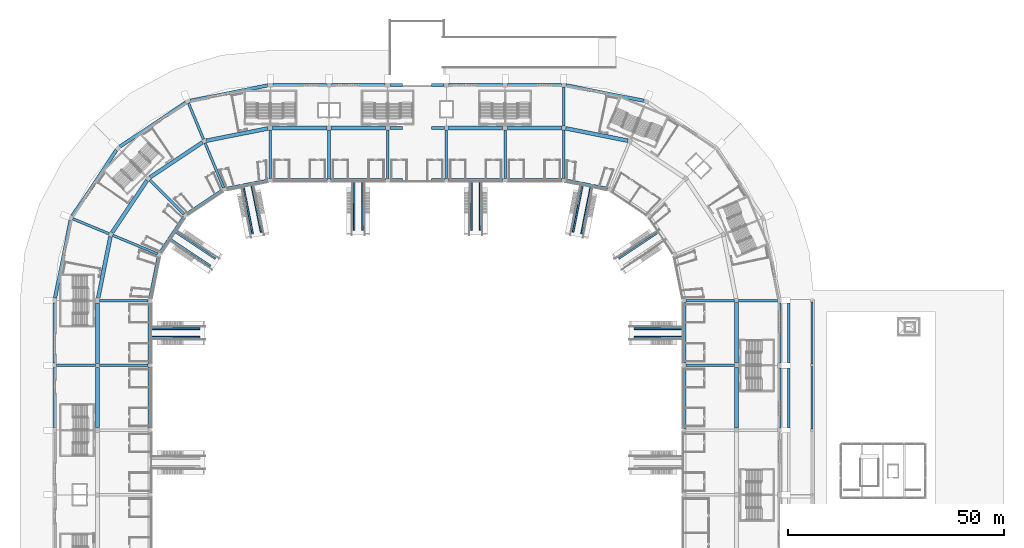
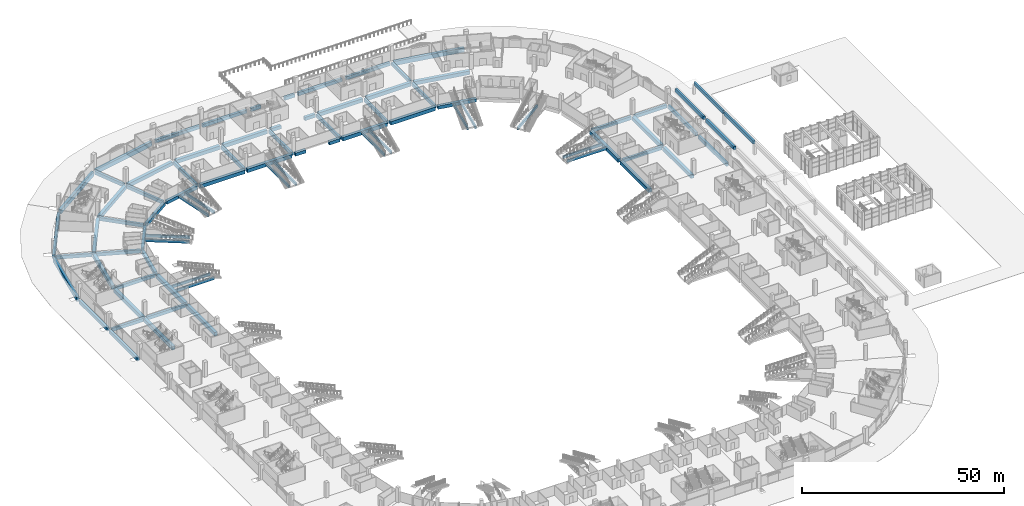
# One storey, part 13 of 175: 82 beams.
"""IFC4 building model written with IfcOpenShell, lengths in metres."""

from ifc_helpers import new_model, si_unit, direction, frame, origin, origin_2d, place, context, subcontext, project, spatial, rectangle, extrude, material, material_profile, profile_set, type_object, element, save


model = new_model("IFC4")

# Units and contexts
model_context = context("Model", 3, precision=1e-05, world=origin(), true_north=direction((0.0, 1.0)))
body_context = subcontext(model_context, "Body", "Model", "MODEL_VIEW")
ifc_project = project(units=[si_unit("LENGTHUNIT", "METRE"), si_unit("AREAUNIT", "SQUARE_METRE"), si_unit("VOLUMEUNIT", "CUBIC_METRE"), si_unit("PLANEANGLEUNIT", "RADIAN"), si_unit("MASSUNIT", "GRAM", prefix="KILO")], contexts=[model_context])

# Site, building, storey
site_placement = place(None, origin())
site = spatial("IfcSite", under=ifc_project, at=site_placement, CompositionType="ELEMENT")
building_placement = place(site_placement, origin())
building = spatial("IfcBuilding", under=site, at=building_placement, Name="Ogive Plaza Stadium", CompositionType="ELEMENT")
storey_placement = place(building_placement, origin())
storey = spatial("IfcBuildingStorey", under=building, at=storey_placement, Name="L00", CompositionType="ELEMENT", Elevation=0.0)

# Beams
ifc_material_1 = material(Name="Concrete C40/50", Category="concrete")
ifc_material_profile_1 = material_profile(ifc_material_1, rectangle(XDim=0.5, YDim=1.0, at=origin_2d()), Name="RC 500x1000")
ifc_profile_set_1 = profile_set([ifc_material_profile_1], Name="Concrete C40/50")
beam_type_1 = type_object("IfcBeamType", Name="Colonnade front beam RC 500x1000", PredefinedType="BEAM", material=ifc_profile_set_1)
for number, where, z_axis, x_axis, name in (
    (1, (91.5, 52.199951171875, 3.300048828125), (0.0, -1.0, 0.0), (1.0, 0.0, 0.0), "Colonnade front beam B01"),
    (2, (91.5, 37.199951171875, 3.300048828125), (0.0, -1.0, 0.0), (1.0, 0.0, 0.0), "Colonnade front beam B02"),
):
    element("IfcBeam", number, at=place(storey_placement, frame(where, z_axis=z_axis, x_axis=x_axis)), inside=storey, type_object=beam_type_1, Name=name, PredefinedType="BEAM", context=body_context, shape_type="SweptSolid", body=[
        extrude(rectangle(XDim=0.5, YDim=1.0, at=origin_2d()), origin(), (0.0, 0.0, 1.0), 14.39990234375),
    ])
ifc_material_2 = material(Name="Concrete C40/50", Category="concrete")
ifc_material_profile_2 = material_profile(ifc_material_2, rectangle(XDim=0.60009765625, YDim=1.0, at=origin_2d()), Name="RC 600x1000")
ifc_profile_set_2 = profile_set([ifc_material_profile_2], Name="Concrete C40/50")
beam_type_2 = type_object("IfcBeamType", Name="Colonnade rear beam RC 600x1000", PredefinedType="BEAM", material=ifc_profile_set_2)
for number, where, z_axis, x_axis, name in (
    (3, (86.10009765625, 52.0, 3.300048828125), (0.0, -1.0, 0.0), (1.0, 0.0, 0.0), "Colonnade rear beam B01"),
    (4, (86.10009765625, 36.89990234375, 3.300048828125), (0.0, -1.0, 0.0), (1.0, 0.0, 0.0), "Colonnade rear beam B02"),
):
    element("IfcBeam", number, at=place(storey_placement, frame(where, z_axis=z_axis, x_axis=x_axis)), inside=storey, type_object=beam_type_2, Name=name, PredefinedType="BEAM", context=body_context, shape_type="SweptSolid", body=[
        extrude(rectangle(XDim=0.60009765625, YDim=1.0, at=origin_2d()), origin(), (0.0, 0.0, 1.0), 13.89990234375),
    ])
ifc_material_3 = material(Name="Concrete C40/50", Category="concrete")
ifc_material_profile_3 = material_profile(ifc_material_3, rectangle(XDim=0.60009765625, YDim=1.0, at=origin_2d()), Name="RC 600x1000")
ifc_profile_set_3 = profile_set([ifc_material_profile_3], Name="Concrete C40/50")
beam_type_3 = type_object("IfcBeamType", Name="RC radial beam 600x1000", PredefinedType="BEAM", material=ifc_profile_set_3)
beam_1_placement = place(storey_placement, frame((62.300048828125, 52.5, -0.909912109375), z_axis=(1.0, 0.0, 0.0), x_axis=(0.0, 1.0, 0.0)))
element("IfcBeam", 5, at=beam_1_placement, inside=storey, type_object=beam_type_3, Name="Radial beam L00 R01 F3F4", PredefinedType="BEAM", context=body_context, shape_type="SweptSolid", body=[
    extrude(rectangle(XDim=0.60009765625, YDim=1.0, at=origin_2d()), origin(), (0.0, 0.0, 1.0), 11.25),
])
beam_2_placement = place(storey_placement, frame((74.449951171875, 52.5, -0.909912109375), z_axis=(1.0, 0.0, 0.0), x_axis=(0.0, 1.0, 0.0)))
element("IfcBeam", 6, at=beam_2_placement, inside=storey, type_object=beam_type_3, Name="Radial beam L00 R01 F4F5", PredefinedType="BEAM", context=body_context, shape_type="SweptSolid", body=[
    extrude(rectangle(XDim=0.60009765625, YDim=1.0, at=origin_2d()), origin(), (0.0, 0.0, 1.0), 9.10009765625),
])
for number, where, z_axis, x_axis, name in (
    (7, (62.300048828125, 37.5, -0.909912109375), (1.0, 0.0, 0.0), (0.0, 1.0, 0.0), "Radial beam L00 R02 F3F4"),
    (8, (-62.300048828125, 37.5, -0.909912109375), (-1.0, 0.0, 0.0), (0.0, -1.0, 0.0), "Radial beam L00 R27 F3F4"),
):
    element("IfcBeam", number, at=place(storey_placement, frame(where, z_axis=z_axis, x_axis=x_axis)), inside=storey, type_object=beam_type_3, Name=name, PredefinedType="BEAM", context=body_context, shape_type="SweptSolid", body=[
        extrude(rectangle(XDim=0.60009765625, YDim=1.0, at=origin_2d()), origin(), (0.0, 0.0, 1.0), 11.25),
    ])
beam_3_placement = place(storey_placement, frame((-74.449951171875, 37.5, -0.909912109375), z_axis=(-1.0, 0.0, 0.0), x_axis=(0.0, -1.0, 0.0)))
element("IfcBeam", 9, at=beam_3_placement, inside=storey, type_object=beam_type_3, Name="Radial beam L00 R27 F4F5", PredefinedType="BEAM", context=body_context, shape_type="SweptSolid", body=[
    extrude(rectangle(XDim=0.60009765625, YDim=1.0, at=origin_2d()), origin(), (0.0, 0.0, 1.0), 9.10009765625),
])
beam_4_placement = place(storey_placement, frame((-62.300048828125, 52.5, -0.909912109375), z_axis=(-1.0, 0.0, 0.0), x_axis=(0.0, -1.0, 0.0)))
element("IfcBeam", 10, at=beam_4_placement, inside=storey, type_object=beam_type_3, Name="Radial beam L00 R28 F3F4", PredefinedType="BEAM", context=body_context, shape_type="SweptSolid", body=[
    extrude(rectangle(XDim=0.60009765625, YDim=1.0, at=origin_2d()), origin(), (0.0, 0.0, 1.0), 11.25),
])
beam_5_placement = place(storey_placement, frame((-60.145751953125, 63.329833984375, -0.909912109375), z_axis=(-0.92388194159, 0.382677616283, 0.0), x_axis=(-0.382677616283, -0.92388194159, 0.0)))
element("IfcBeam", 11, at=beam_5_placement, inside=storey, type_object=beam_type_3, Name="Radial beam L00 R29 F3F4", PredefinedType="BEAM", context=body_context, shape_type="SweptSolid", body=[
    extrude(rectangle(XDim=0.60009765625, YDim=1.0, at=origin_2d()), origin(), (0.0, 0.0, 1.0), 11.250244140625),
])
beam_6_placement = place(storey_placement, frame((-71.370849609375, 67.9794921875, -0.909912109375), z_axis=(-0.923882116707, 0.382677193504, 0.0), x_axis=(-0.382677193504, -0.923882116707, 0.0)))
element("IfcBeam", 12, at=beam_6_placement, inside=storey, type_object=beam_type_3, Name="Radial beam L00 R29 F4F5", PredefinedType="BEAM", context=body_context, shape_type="SweptSolid", body=[
    extrude(rectangle(XDim=0.60009765625, YDim=1.0, at=origin_2d()), origin(), (0.0, 0.0, 1.0), 9.10009765625),
])
beam_7_placement = place(storey_placement, frame((-54.01123046875, 72.51123046875, -0.909912109375), z_axis=(-0.707106781187, 0.707106781187, 0.0), x_axis=(-0.707106781187, -0.707106781187, 0.0)))
element("IfcBeam", 13, at=beam_7_placement, inside=storey, type_object=beam_type_3, Name="Radial beam L00 R30 F3F4", PredefinedType="BEAM", context=body_context, shape_type="SweptSolid", body=[
    extrude(rectangle(XDim=0.60009765625, YDim=1.0, at=origin_2d()), origin(), (0.0, 0.0, 1.0), 11.249755859375),
])
beam_8_placement = place(storey_placement, frame((-44.829833984375, 78.645751953125, -0.909912109375), z_axis=(-0.382677616283, 0.92388194159, 0.0), x_axis=(-0.92388194159, -0.382677616283, 0.0)))
element("IfcBeam", 14, at=beam_8_placement, inside=storey, type_object=beam_type_3, Name="Radial beam L00 R31 F3F4", PredefinedType="BEAM", context=body_context, shape_type="SweptSolid", body=[
    extrude(rectangle(XDim=0.60009765625, YDim=1.0, at=origin_2d()), origin(), (0.0, 0.0, 1.0), 11.250244140625),
])
beam_9_placement = place(storey_placement, frame((-49.4794921875, 89.870849609375, -0.909912109375), z_axis=(-0.382677193504, 0.923882116707, 0.0), x_axis=(-0.923882116707, -0.382677193504, 0.0)))
element("IfcBeam", 15, at=beam_9_placement, inside=storey, type_object=beam_type_3, Name="Radial beam L00 R31 F4F5", PredefinedType="BEAM", context=body_context, shape_type="SweptSolid", body=[
    extrude(rectangle(XDim=0.60009765625, YDim=1.0, at=origin_2d()), origin(), (0.0, 0.0, 1.0), 9.10009765625),
])
for number, where, z_axis, x_axis, name in (
    (16, (-34.0, 80.800048828125, -0.909912109375), (0.0, 1.0, 0.0), (-1.0, 0.0, 0.0), "Radial beam L00 R32 F3F4"),
    (17, (-20.39990234375, 80.800048828125, -0.909912109375), (0.0, 1.0, 0.0), (-1.0, 0.0, 0.0), "Radial beam L00 R33 F3F4"),
    (18, (-6.800048828125, 80.800048828125, -0.909912109375), (0.0, 1.0, 0.0), (-1.0, 0.0, 0.0), "Radial beam L00 R34 F3F4"),
    (19, (6.800048828125, 80.800048828125, -0.909912109375), (0.0, 1.0, 0.0), (-1.0, 0.0, 0.0), "Radial beam L00 R35 F3F4"),
    (20, (20.39990234375, 80.800048828125, -0.909912109375), (0.0, 1.0, 0.0), (-1.0, 0.0, 0.0), "Radial beam L00 R36 F3F4"),
    (21, (34.0, 80.800048828125, -0.909912109375), (0.0, 1.0, 0.0), (-1.0, 0.0, 0.0), "Radial beam L00 R37 F3F4"),
):
    element("IfcBeam", number, at=place(storey_placement, frame(where, z_axis=z_axis, x_axis=x_axis)), inside=storey, type_object=beam_type_3, Name=name, PredefinedType="BEAM", context=body_context, shape_type="SweptSolid", body=[
        extrude(rectangle(XDim=0.60009765625, YDim=1.0, at=origin_2d()), origin(), (0.0, 0.0, 1.0), 11.25),
    ])
beam_10_placement = place(storey_placement, frame((34.0, 92.949951171875, -0.909912109375), z_axis=(0.0, 1.0, 0.0), x_axis=(-1.0, 0.0, 0.0)))
element("IfcBeam", 22, at=beam_10_placement, inside=storey, type_object=beam_type_3, Name="Radial beam L00 R37 F4F5", PredefinedType="BEAM", context=body_context, shape_type="SweptSolid", body=[
    extrude(rectangle(XDim=0.60009765625, YDim=1.0, at=origin_2d()), origin(), (0.0, 0.0, 1.0), 9.10009765625),
])
ifc_material_4 = material(Name="Concrete C40/50", Category="concrete")
ifc_material_profile_4 = material_profile(ifc_material_4, rectangle(XDim=0.800048828125, YDim=1.0, at=origin_2d()), Name="RC 800x1000")
ifc_profile_set_4 = profile_set([ifc_material_profile_4], Name="Concrete C40/50")
beam_type_4 = type_object("IfcBeamType", Name="RC ring beam 800x1000", PredefinedType="BEAM", material=ifc_profile_set_4)
beam_11_placement = place(storey_placement, frame((-61.800537109375, 53.0, -0.909912109375), z_axis=(0.195093456635, 0.980784656884, 0.0), x_axis=(-0.980784656884, 0.195093456635, 0.0)))
element("IfcBeam", 23, at=beam_11_placement, inside=storey, type_object=beam_type_4, Name="Ring beam F3 L00 B28", PredefinedType="BEAM", context=body_context, shape_type="SweptSolid", body=[
    extrude(rectangle(XDim=0.800048828125, YDim=1.0, at=origin_2d()), origin(), (0.0, 0.0, 1.0), 9.91748046875),
])
for number, where, z_axis, x_axis, name in (
    (24, (-59.521240234375, 63.558349609375, -0.909912109375), (0.555570290949, 0.831469573595, 0.0), (-0.831469573595, 0.555570290949, 0.0), "Ring beam F3 L00 B29"),
    (25, (-53.3466796875, 72.483154296875, -0.909912109375), (0.831469573595, 0.555570290949, 0.0), (-0.555570290949, 0.831469573595, 0.0), "Ring beam F3 L00 B30"),
):
    element("IfcBeam", number, at=place(storey_placement, frame(where, z_axis=z_axis, x_axis=x_axis)), inside=storey, type_object=beam_type_4, Name=name, PredefinedType="BEAM", context=body_context, shape_type="SweptSolid", body=[
        extrude(rectangle(XDim=0.800048828125, YDim=1.0, at=origin_2d()), origin(), (0.0, 0.0, 1.0), 9.96826171875),
    ])
beam_12_placement = place(storey_placement, frame((-44.226806640625, 78.36572265625, -0.909912109375), z_axis=(0.980784656884, 0.195093456635, 0.0), x_axis=(-0.195093456635, 0.980784656884, 0.0)))
element("IfcBeam", 26, at=beam_12_placement, inside=storey, type_object=beam_type_4, Name="Ring beam F3 L00 B31", PredefinedType="BEAM", context=body_context, shape_type="SweptSolid", body=[
    extrude(rectangle(XDim=0.800048828125, YDim=1.0, at=origin_2d()), origin(), (0.0, 0.0, 1.0), 9.91748046875),
])
beam_13_placement = place(storey_placement, frame((-6.25, 92.5, -0.909912109375), z_axis=(1.0, 0.0, 0.0), x_axis=(0.0, 1.0, 0.0)))
element("IfcBeam", 27, at=beam_13_placement, inside=storey, type_object=beam_type_4, Name="Ring beam F4 L00 B34.1", PredefinedType="BEAM", context=body_context, shape_type="SweptSolid", body=[
    extrude(rectangle(XDim=0.800048828125, YDim=1.0, at=origin_2d()), origin(), (0.0, 0.0, 1.0), 2.85009765625),
])
beam_14_placement = place(storey_placement, frame((3.39990234375, 92.5, -0.909912109375), z_axis=(1.0, 0.0, 0.0), x_axis=(0.0, 1.0, 0.0)))
element("IfcBeam", 28, at=beam_14_placement, inside=storey, type_object=beam_type_4, Name="Ring beam F4 L00 B34.2", PredefinedType="BEAM", context=body_context, shape_type="SweptSolid", body=[
    extrude(rectangle(XDim=0.800048828125, YDim=1.0, at=origin_2d()), origin(), (0.0, 0.0, 1.0), 2.9501953125),
])
beam_15_placement = place(storey_placement, frame((-6.300048828125, 80.39990234375, -0.909912109375), z_axis=(1.0, 0.0, 0.0), x_axis=(0.0, 1.0, 0.0)))
element("IfcBeam", 29, at=beam_15_placement, inside=storey, type_object=beam_type_4, Name="Ring beam F3 L00 B34.1", PredefinedType="BEAM", context=body_context, shape_type="SweptSolid", body=[
    extrude(rectangle(XDim=0.800048828125, YDim=1.0, at=origin_2d()), origin(), (0.0, 0.0, 1.0), 2.900146484375),
])
beam_16_placement = place(storey_placement, frame((3.39990234375, 80.39990234375, -0.909912109375), z_axis=(1.0, 0.0, 0.0), x_axis=(0.0, 1.0, 0.0)))
element("IfcBeam", 30, at=beam_16_placement, inside=storey, type_object=beam_type_4, Name="Ring beam F3 L00 B34.2", PredefinedType="BEAM", context=body_context, shape_type="SweptSolid", body=[
    extrude(rectangle(XDim=0.800048828125, YDim=1.0, at=origin_2d()), origin(), (0.0, 0.0, 1.0), 3.0),
])
beam_17_placement = place(storey_placement, frame((34.39990234375, 80.320556640625, -0.909912109375), z_axis=(0.980782584064, -0.195103876937, 0.0), x_axis=(0.195103876937, 0.980782584064, 0.0)))
element("IfcBeam", 31, at=beam_17_placement, inside=storey, type_object=beam_type_4, Name="Ring beam F3 L00 B37", PredefinedType="BEAM", context=body_context, shape_type="SweptSolid", body=[
    extrude(rectangle(XDim=0.800048828125, YDim=1.0, at=origin_2d()), origin(), (0.0, 0.0, 1.0), 10.01953125),
])
ifc_material_5 = material(Name="Concrete C40/50", Category="concrete")
ifc_material_profile_5 = material_profile(ifc_material_5, rectangle(XDim=0.89990234375, YDim=1.10009765625, at=origin_2d()), Name="RC 900x1100")
ifc_profile_set_5 = profile_set([ifc_material_profile_5], Name="Concrete C40/50")
beam_type_5 = type_object("IfcBeamType", Name="RC ring beam 900x1100", PredefinedType="BEAM", material=ifc_profile_set_5)
beam_18_placement = place(storey_placement, frame((74.0, 52.050048828125, -0.9599609375), z_axis=(0.0, -1.0, 0.0), x_axis=(1.0, 0.0, 0.0)))
element("IfcBeam", 32, at=beam_18_placement, inside=storey, type_object=beam_type_5, Name="Ring beam F4 L00 B01", PredefinedType="BEAM", context=body_context, shape_type="SweptSolid", body=[
    extrude(rectangle(XDim=0.89990234375, YDim=1.10009765625, at=origin_2d()), origin(), (0.0, 0.0, 1.0), 14.0),
])
beam_19_placement = place(storey_placement, frame((61.89990234375, 52.10009765625, -0.9599609375), z_axis=(0.0, -1.0, 0.0), x_axis=(1.0, 0.0, 0.0)))
element("IfcBeam", 33, at=beam_19_placement, inside=storey, type_object=beam_type_5, Name="Ring beam F3 L00 B01", PredefinedType="BEAM", context=body_context, shape_type="SweptSolid", body=[
    extrude(rectangle(XDim=0.89990234375, YDim=1.10009765625, at=origin_2d()), origin(), (0.0, 0.0, 1.0), 14.10009765625),
])
beam_20_placement = place(storey_placement, frame((74.0, 36.949951171875, -0.9599609375), z_axis=(0.0, -1.0, 0.0), x_axis=(1.0, 0.0, 0.0)))
element("IfcBeam", 34, at=beam_20_placement, inside=storey, type_object=beam_type_5, Name="Ring beam F4 L00 B02", PredefinedType="BEAM", context=body_context, shape_type="SweptSolid", body=[
    extrude(rectangle(XDim=0.89990234375, YDim=1.10009765625, at=origin_2d()), origin(), (0.0, 0.0, 1.0), 14.0),
])
beam_21_placement = place(storey_placement, frame((61.89990234375, 37.0, -0.9599609375), z_axis=(0.0, -1.0, 0.0), x_axis=(1.0, 0.0, 0.0)))
element("IfcBeam", 35, at=beam_21_placement, inside=storey, type_object=beam_type_5, Name="Ring beam F3 L00 B02", PredefinedType="BEAM", context=body_context, shape_type="SweptSolid", body=[
    extrude(rectangle(XDim=0.89990234375, YDim=1.10009765625, at=origin_2d()), origin(), (0.0, 0.0, 1.0), 14.10009765625),
])
beam_22_placement = place(storey_placement, frame((-74.0, 23.050048828125, -0.9599609375), z_axis=(0.0, 1.0, 0.0), x_axis=(-1.0, 0.0, 0.0)))
element("IfcBeam", 36, at=beam_22_placement, inside=storey, type_object=beam_type_5, Name="Ring beam F4 L00 B26", PredefinedType="BEAM", context=body_context, shape_type="SweptSolid", body=[
    extrude(rectangle(XDim=0.89990234375, YDim=1.10009765625, at=origin_2d()), origin(), (0.0, 0.0, 1.0), 14.0),
])
beam_23_placement = place(storey_placement, frame((-61.89990234375, 23.0, -0.9599609375), z_axis=(0.0, 1.0, 0.0), x_axis=(-1.0, 0.0, 0.0)))
element("IfcBeam", 37, at=beam_23_placement, inside=storey, type_object=beam_type_5, Name="Ring beam F3 L00 B26", PredefinedType="BEAM", context=body_context, shape_type="SweptSolid", body=[
    extrude(rectangle(XDim=0.89990234375, YDim=1.10009765625, at=origin_2d()), origin(), (0.0, 0.0, 1.0), 14.10009765625),
])
beam_24_placement = place(storey_placement, frame((-74.0, 37.949951171875, -0.9599609375), z_axis=(0.0, 1.0, 0.0), x_axis=(-1.0, 0.0, 0.0)))
element("IfcBeam", 38, at=beam_24_placement, inside=storey, type_object=beam_type_5, Name="Ring beam F4 L00 B27", PredefinedType="BEAM", context=body_context, shape_type="SweptSolid", body=[
    extrude(rectangle(XDim=0.89990234375, YDim=1.10009765625, at=origin_2d()), origin(), (0.0, 0.0, 1.0), 14.0),
])
beam_25_placement = place(storey_placement, frame((-61.89990234375, 37.89990234375, -0.9599609375), z_axis=(0.0, 1.0, 0.0), x_axis=(-1.0, 0.0, 0.0)))
element("IfcBeam", 39, at=beam_25_placement, inside=storey, type_object=beam_type_5, Name="Ring beam F3 L00 B27", PredefinedType="BEAM", context=body_context, shape_type="SweptSolid", body=[
    extrude(rectangle(XDim=0.89990234375, YDim=1.10009765625, at=origin_2d()), origin(), (0.0, 0.0, 1.0), 14.10009765625),
])
beam_26_placement = place(storey_placement, frame((-73.890625, 53.050048828125, -0.9599609375), z_axis=(0.195088957992, 0.980785551724, 0.0), x_axis=(-0.980785551724, 0.195088957992, 0.0)))
element("IfcBeam", 40, at=beam_26_placement, inside=storey, type_object=beam_type_5, Name="Ring beam F4 L00 B28", PredefinedType="BEAM", context=body_context, shape_type="SweptSolid", body=[
    extrude(rectangle(XDim=0.89990234375, YDim=1.10009765625, at=origin_2d()), origin(), (0.0, 0.0, 1.0), 14.53662109375),
])
for number, where, z_axis, x_axis, name in (
    (41, (-70.671875, 68.231201171875, -0.9599609375), (0.555572744827, 0.831467933961, 0.0), (-0.831467933961, 0.555572744827, 0.0), "Ring beam F4 L00 B29"),
    (42, (-61.8603515625, 81.0673828125, -0.9599609375), (0.831467933961, 0.555572744827, 0.0), (-0.555572744827, 0.831467933961, 0.0), "Ring beam F4 L00 B30"),
):
    element("IfcBeam", number, at=place(storey_placement, frame(where, z_axis=z_axis, x_axis=x_axis)), inside=storey, type_object=beam_type_5, Name=name, PredefinedType="BEAM", context=body_context, shape_type="SweptSolid", body=[
        extrude(rectangle(XDim=0.89990234375, YDim=1.10009765625, at=origin_2d()), origin(), (0.0, 0.0, 1.0), 14.587646484375),
    ])
beam_27_placement = place(storey_placement, frame((-48.807373046875, 89.5546875, -0.9599609375), z_axis=(0.980785551724, 0.195088957992, 0.0), x_axis=(-0.195088957992, 0.980785551724, 0.0)))
element("IfcBeam", 43, at=beam_27_placement, inside=storey, type_object=beam_type_5, Name="Ring beam F4 L00 B31", PredefinedType="BEAM", context=body_context, shape_type="SweptSolid", body=[
    extrude(rectangle(XDim=0.89990234375, YDim=1.10009765625, at=origin_2d()), origin(), (0.0, 0.0, 1.0), 14.53662109375),
])
beam_28_placement = place(storey_placement, frame((-33.449951171875, 92.5, -0.9599609375), z_axis=(1.0, 0.0, 0.0), x_axis=(0.0, 1.0, 0.0)))
element("IfcBeam", 44, at=beam_28_placement, inside=storey, type_object=beam_type_5, Name="Ring beam F4 L00 B32", PredefinedType="BEAM", context=body_context, shape_type="SweptSolid", body=[
    extrude(rectangle(XDim=0.89990234375, YDim=1.10009765625, at=origin_2d()), origin(), (0.0, 0.0, 1.0), 12.599853515625),
])
beam_29_placement = place(storey_placement, frame((-33.5, 80.39990234375, -0.9599609375), z_axis=(1.0, 0.0, 0.0), x_axis=(0.0, 1.0, 0.0)))
element("IfcBeam", 45, at=beam_29_placement, inside=storey, type_object=beam_type_5, Name="Ring beam F3 L00 B32", PredefinedType="BEAM", context=body_context, shape_type="SweptSolid", body=[
    extrude(rectangle(XDim=0.89990234375, YDim=1.10009765625, at=origin_2d()), origin(), (0.0, 0.0, 1.0), 12.699951171875),
])
beam_30_placement = place(storey_placement, frame((-19.949951171875, 92.5, -0.9599609375), z_axis=(1.0, 0.0, 0.0), x_axis=(0.0, 1.0, 0.0)))
element("IfcBeam", 46, at=beam_30_placement, inside=storey, type_object=beam_type_5, Name="Ring beam F4 L00 B33", PredefinedType="BEAM", context=body_context, shape_type="SweptSolid", body=[
    extrude(rectangle(XDim=0.89990234375, YDim=1.10009765625, at=origin_2d()), origin(), (0.0, 0.0, 1.0), 12.599853515625),
])
beam_31_placement = place(storey_placement, frame((-20.0, 80.39990234375, -0.9599609375), z_axis=(1.0, 0.0, 0.0), x_axis=(0.0, 1.0, 0.0)))
element("IfcBeam", 47, at=beam_31_placement, inside=storey, type_object=beam_type_5, Name="Ring beam F3 L00 B33", PredefinedType="BEAM", context=body_context, shape_type="SweptSolid", body=[
    extrude(rectangle(XDim=0.89990234375, YDim=1.10009765625, at=origin_2d()), origin(), (0.0, 0.0, 1.0), 12.699951171875),
])
beam_32_placement = place(storey_placement, frame((7.25, 92.5, -0.9599609375), z_axis=(1.0, 0.0, 0.0), x_axis=(0.0, 1.0, 0.0)))
element("IfcBeam", 48, at=beam_32_placement, inside=storey, type_object=beam_type_5, Name="Ring beam F4 L00 B35", PredefinedType="BEAM", context=body_context, shape_type="SweptSolid", body=[
    extrude(rectangle(XDim=0.89990234375, YDim=1.10009765625, at=origin_2d()), origin(), (0.0, 0.0, 1.0), 12.60009765625),
])
beam_33_placement = place(storey_placement, frame((7.199951171875, 80.39990234375, -0.9599609375), z_axis=(1.0, 0.0, 0.0), x_axis=(0.0, 1.0, 0.0)))
element("IfcBeam", 49, at=beam_33_placement, inside=storey, type_object=beam_type_5, Name="Ring beam F3 L00 B35", PredefinedType="BEAM", context=body_context, shape_type="SweptSolid", body=[
    extrude(rectangle(XDim=0.89990234375, YDim=1.10009765625, at=origin_2d()), origin(), (0.0, 0.0, 1.0), 12.699951171875),
])
beam_34_placement = place(storey_placement, frame((20.949951171875, 92.5, -0.9599609375), z_axis=(1.0, 0.0, 0.0), x_axis=(0.0, 1.0, 0.0)))
element("IfcBeam", 50, at=beam_34_placement, inside=storey, type_object=beam_type_5, Name="Ring beam F4 L00 B36", PredefinedType="BEAM", context=body_context, shape_type="SweptSolid", body=[
    extrude(rectangle(XDim=0.89990234375, YDim=1.10009765625, at=origin_2d()), origin(), (0.0, 0.0, 1.0), 12.60009765625),
])
beam_35_placement = place(storey_placement, frame((20.89990234375, 80.39990234375, -0.9599609375), z_axis=(1.0, 0.0, 0.0), x_axis=(0.0, 1.0, 0.0)))
element("IfcBeam", 51, at=beam_35_placement, inside=storey, type_object=beam_type_5, Name="Ring beam F3 L00 B36", PredefinedType="BEAM", context=body_context, shape_type="SweptSolid", body=[
    extrude(rectangle(XDim=0.89990234375, YDim=1.10009765625, at=origin_2d()), origin(), (0.0, 0.0, 1.0), 12.7001953125),
])
beam_36_placement = place(storey_placement, frame((34.449951171875, 92.410400390625, -0.9599609375), z_axis=(0.980787317906, -0.195080078519, 0.0), x_axis=(0.195080078519, 0.980787317906, 0.0)))
element("IfcBeam", 52, at=beam_36_placement, inside=storey, type_object=beam_type_5, Name="Ring beam F4 L00 B37", PredefinedType="BEAM", context=body_context, shape_type="SweptSolid", body=[
    extrude(rectangle(XDim=0.89990234375, YDim=1.10009765625, at=origin_2d()), origin(), (0.0, 0.0, 1.0), 14.638671875),
])
ifc_material_6 = material(Name="Concrete C40/50", Category="concrete")
ifc_material_profile_6 = material_profile(ifc_material_6, rectangle(XDim=0.699951171875, YDim=1.0, at=origin_2d()), Name="RC 700x1000")
ifc_profile_set_6 = profile_set([ifc_material_profile_6], Name="Concrete C40/50")
beam_type_6 = type_object("IfcBeamType", Name="RC spandrel beam 700x1000", PredefinedType="SPANDREL", material=ifc_profile_set_6)
for number, where, z_axis, x_axis, name in (
    (53, (84.0, 52.0, -0.909912109375), (0.0, -1.0, 0.0), (1.0, 0.0, 0.0), "Ring beam F5 L00 B01"),
    (54, (84.0, 36.89990234375, -0.909912109375), (0.0, -1.0, 0.0), (1.0, 0.0, 0.0), "Ring beam F5 L00 B02"),
    (55, (-84.0, 23.10009765625, -0.909912109375), (0.0, 1.0, 0.0), (-1.0, 0.0, 0.0), "Ring beam F5 L00 B26"),
    (56, (-84.0, 38.0, -0.909912109375), (0.0, 1.0, 0.0), (-1.0, 0.0, 0.0), "Ring beam F5 L00 B27"),
):
    element("IfcBeam", number, at=place(storey_placement, frame(where, z_axis=z_axis, x_axis=x_axis)), inside=storey, type_object=beam_type_6, Name=name, PredefinedType="SPANDREL", context=body_context, shape_type="SweptSolid", body=[
        extrude(rectangle(XDim=0.699951171875, YDim=1.0, at=origin_2d()), origin(), (0.0, 0.0, 1.0), 13.89990234375),
    ])
for number, where, z_axis, x_axis, name in (
    (57, (-33.39990234375, 102.5, -0.909912109375), (1.0, 0.0, 0.0), (0.0, 1.0, 0.0), "Ring beam F5 L00 B32"),
    (58, (-19.89990234375, 102.5, -0.909912109375), (1.0, 0.0, 0.0), (0.0, 1.0, 0.0), "Ring beam F5 L00 B33"),
):
    element("IfcBeam", number, at=place(storey_placement, frame(where, z_axis=z_axis, x_axis=x_axis)), inside=storey, type_object=beam_type_6, Name=name, PredefinedType="SPANDREL", context=body_context, shape_type="SweptSolid", body=[
        extrude(rectangle(XDim=0.699951171875, YDim=1.0, at=origin_2d()), origin(), (0.0, 0.0, 1.0), 12.5),
    ])
beam_37_placement = place(storey_placement, frame((-6.199951171875, 102.5, -0.909912109375), z_axis=(1.0, 0.0, 0.0), x_axis=(0.0, 1.0, 0.0)))
element("IfcBeam", 59, at=beam_37_placement, inside=storey, type_object=beam_type_6, Name="Ring beam F5 L00 B34.1", PredefinedType="SPANDREL", context=body_context, shape_type="SweptSolid", body=[
    extrude(rectangle(XDim=0.699951171875, YDim=1.0, at=origin_2d()), origin(), (0.0, 0.0, 1.0), 2.800048828125),
])
beam_38_placement = place(storey_placement, frame((3.39990234375, 102.5, -0.909912109375), z_axis=(1.0, 0.0, 0.0), x_axis=(0.0, 1.0, 0.0)))
element("IfcBeam", 60, at=beam_38_placement, inside=storey, type_object=beam_type_6, Name="Ring beam F5 L00 B34.2", PredefinedType="SPANDREL", context=body_context, shape_type="SweptSolid", body=[
    extrude(rectangle(XDim=0.699951171875, YDim=1.0, at=origin_2d()), origin(), (0.0, 0.0, 1.0), 2.900146484375),
])
for number, where, z_axis, x_axis, name in (
    (61, (7.300048828125, 102.5, -0.909912109375), (1.0, 0.0, 0.0), (0.0, 1.0, 0.0), "Ring beam F5 L00 B35"),
    (62, (21.0, 102.5, -0.909912109375), (1.0, 0.0, 0.0), (0.0, 1.0, 0.0), "Ring beam F5 L00 B36"),
):
    element("IfcBeam", number, at=place(storey_placement, frame(where, z_axis=z_axis, x_axis=x_axis)), inside=storey, type_object=beam_type_6, Name=name, PredefinedType="SPANDREL", context=body_context, shape_type="SweptSolid", body=[
        extrude(rectangle(XDim=0.699951171875, YDim=1.0, at=origin_2d()), origin(), (0.0, 0.0, 1.0), 12.5),
    ])
ifc_material_7 = material(Name="Concrete C40/50", Category="concrete")
ifc_material_profile_7 = material_profile(ifc_material_7, rectangle(XDim=0.800048828125, YDim=1.300048828125, at=origin_2d()), Name="RC 800x1300")
ifc_profile_set_7 = profile_set([ifc_material_profile_7], Name="Concrete C40/50")
beam_type_7 = type_object("IfcBeamType", Name="RC spandrel beam 800x1300", PredefinedType="SPANDREL", material=ifc_profile_set_7)
beam_39_placement = place(storey_placement, frame((-83.880615234375, 53.10009765625, -1.06005859375), z_axis=(0.195084152283, 0.980786507619, 0.0), x_axis=(-0.980786507619, 0.195084152283, 0.0)))
element("IfcBeam", 63, at=beam_39_placement, inside=storey, type_object=beam_type_7, Name="Ring beam F5 L00 B28", PredefinedType="SPANDREL", context=body_context, shape_type="SweptSolid", body=[
    extrude(rectangle(XDim=0.800048828125, YDim=1.300048828125, at=origin_2d()), origin(), (0.0, 0.0, 1.0), 18.33642578125),
])
for number, where, z_axis, x_axis, name in (
    (64, (-79.88232421875, 72.100341796875, -1.06005859375), (0.555557833169, 0.831477897484, 0.0), (-0.831477897484, 0.555557833169, 0.0), "Ring beam F5 L00 B29"),
    (65, (-68.88916015625, 88.1669921875, -1.06005859375), (0.831477897484, 0.555557833169, 0.0), (-0.555557833169, 0.831477897484, 0.0), "Ring beam F5 L00 B30"),
):
    element("IfcBeam", number, at=place(storey_placement, frame(where, z_axis=z_axis, x_axis=x_axis)), inside=storey, type_object=beam_type_7, Name=name, PredefinedType="SPANDREL", context=body_context, shape_type="SweptSolid", body=[
        extrude(rectangle(XDim=0.800048828125, YDim=1.300048828125, at=origin_2d()), origin(), (0.0, 0.0, 1.0), 18.387451171875),
    ])
beam_40_placement = place(storey_placement, frame((-52.584228515625, 98.803466796875, -1.06005859375), z_axis=(0.980786507619, 0.195084152283, 0.0), x_axis=(-0.195084152283, 0.980786507619, 0.0)))
element("IfcBeam", 66, at=beam_40_placement, inside=storey, type_object=beam_type_7, Name="Ring beam F5 L00 B31", PredefinedType="SPANDREL", context=body_context, shape_type="SweptSolid", body=[
    extrude(rectangle(XDim=0.800048828125, YDim=1.300048828125, at=origin_2d()), origin(), (0.0, 0.0, 1.0), 18.33642578125),
])
beam_41_placement = place(storey_placement, frame((34.5, 102.400634765625, -1.06005859375), z_axis=(0.980785371075, -0.195089866178, 0.0), x_axis=(0.195089866178, 0.980785371075, 0.0)))
element("IfcBeam", 67, at=beam_41_placement, inside=storey, type_object=beam_type_7, Name="Ring beam F5 L00 B37", PredefinedType="SPANDREL", context=body_context, shape_type="SweptSolid", body=[
    extrude(rectangle(XDim=0.800048828125, YDim=1.300048828125, at=origin_2d()), origin(), (0.0, 0.0, 1.0), 18.4384765625),
])
ifc_material_8 = material(Name="Concrete C40/50", Category="concrete")
ifc_material_profile_8 = material_profile(ifc_material_8, rectangle(XDim=0.39990234375, YDim=0.800048828125, at=origin_2d()), Name="RC 400x800")
ifc_profile_set_8 = profile_set([ifc_material_profile_8], Name="Concrete C40/50")
beam_type_8 = type_object("IfcBeamType", Name="RC tongue beam 400x800", PredefinedType="BEAM", material=ifc_profile_set_8)
for number, where, z_axis, x_axis, name in (
    (68, (50.300048828125, 44.0, -0.81005859375), (1.0, 0.0, 0.0), (0.0, 1.0, 0.0), "Vomitory beam B01 1"),
    (69, (50.300048828125, 46.0, -0.81005859375), (1.0, 0.0, 0.0), (0.0, 1.0, 0.0), "Vomitory beam B01 2"),
    (70, (-50.300048828125, 46.0, -0.81005859375), (-1.0, 0.0, 0.0), (0.0, -1.0, 0.0), "Vomitory beam B27 1"),
    (71, (-50.300048828125, 44.0, -0.81005859375), (-1.0, 0.0, 0.0), (0.0, -1.0, 0.0), "Vomitory beam B27 2"),
):
    element("IfcBeam", number, at=place(storey_placement, frame(where, z_axis=z_axis, x_axis=x_axis)), inside=storey, type_object=beam_type_8, Name=name, PredefinedType="BEAM", context=body_context, shape_type="SweptSolid", body=[
        extrude(rectangle(XDim=0.39990234375, YDim=0.800048828125, at=origin_2d()), origin(), (0.0, 0.0, 1.0), 11.199951171875),
    ])
for number, where, z_axis, x_axis, name in (
    (72, (-46.737060546875, 62.21337890625, -0.81005859375), (-0.831471984156, 0.555566683274, 0.0), (-0.555566683274, -0.831471984156, 0.0), "Vomitory beam B29 1"),
    (73, (-47.84814453125, 60.55029296875, -0.81005859375), (-0.831471984156, 0.555566683274, 0.0), (-0.555566683274, -0.831471984156, 0.0), "Vomitory beam B29 2"),
):
    element("IfcBeam", number, at=place(storey_placement, frame(where, z_axis=z_axis, x_axis=x_axis)), inside=storey, type_object=beam_type_8, Name=name, PredefinedType="BEAM", context=body_context, shape_type="SweptSolid", body=[
        extrude(rectangle(XDim=0.39990234375, YDim=0.800048828125, at=origin_2d()), origin(), (0.0, 0.0, 1.0), 10.98486328125),
    ])
beam_42_placement = place(storey_placement, frame((-36.13818359375, 68.374755859375, -0.81005859375), z_axis=(-0.195073135792, 0.980788698799, 0.0), x_axis=(-0.980788698799, -0.195073135792, 0.0)))
element("IfcBeam", 74, at=beam_42_placement, inside=storey, type_object=beam_type_8, Name="Vomitory beam B31 1", PredefinedType="BEAM", context=body_context, shape_type="SweptSolid", body=[
    extrude(rectangle(XDim=0.39990234375, YDim=0.800048828125, at=origin_2d()), origin(), (0.0, 0.0, 1.0), 10.984619140625),
])
beam_43_placement = place(storey_placement, frame((-38.099609375, 67.984619140625, -0.81005859375), z_axis=(-0.195094515386, 0.980784446281, 0.0), x_axis=(-0.980784446281, -0.195094515386, 0.0)))
element("IfcBeam", 75, at=beam_43_placement, inside=storey, type_object=beam_type_8, Name="Vomitory beam B31 2", PredefinedType="BEAM", context=body_context, shape_type="SweptSolid", body=[
    extrude(rectangle(XDim=0.39990234375, YDim=0.800048828125, at=origin_2d()), origin(), (0.0, 0.0, 1.0), 10.98486328125),
])
for number, where, z_axis, x_axis, name in (
    (76, (-12.60009765625, 68.800048828125, -0.81005859375), (0.0, 1.0, 0.0), (-1.0, 0.0, 0.0), "Vomitory beam B33 1"),
    (77, (-14.60009765625, 68.800048828125, -0.81005859375), (0.0, 1.0, 0.0), (-1.0, 0.0, 0.0), "Vomitory beam B33 2"),
    (78, (14.60009765625, 68.800048828125, -0.81005859375), (0.0, 1.0, 0.0), (-1.0, 0.0, 0.0), "Vomitory beam B35 1"),
    (79, (12.60009765625, 68.800048828125, -0.81005859375), (0.0, 1.0, 0.0), (-1.0, 0.0, 0.0), "Vomitory beam B35 2"),
):
    element("IfcBeam", number, at=place(storey_placement, frame(where, z_axis=z_axis, x_axis=x_axis)), inside=storey, type_object=beam_type_8, Name=name, PredefinedType="BEAM", context=body_context, shape_type="SweptSolid", body=[
        extrude(rectangle(XDim=0.39990234375, YDim=0.800048828125, at=origin_2d()), origin(), (0.0, 0.0, 1.0), 11.199951171875),
    ])
beam_44_placement = place(storey_placement, frame((38.099609375, 67.984619140625, -0.81005859375), z_axis=(0.195094515386, 0.980784446281, 0.0), x_axis=(-0.980784446281, 0.195094515386, 0.0)))
element("IfcBeam", 80, at=beam_44_placement, inside=storey, type_object=beam_type_8, Name="Vomitory beam B37 1", PredefinedType="BEAM", context=body_context, shape_type="SweptSolid", body=[
    extrude(rectangle(XDim=0.39990234375, YDim=0.800048828125, at=origin_2d()), origin(), (0.0, 0.0, 1.0), 10.98486328125),
])
beam_45_placement = place(storey_placement, frame((36.13818359375, 68.374755859375, -0.81005859375), z_axis=(0.195073135792, 0.980788698799, 0.0), x_axis=(-0.980788698799, 0.195073135792, 0.0)))
element("IfcBeam", 81, at=beam_45_placement, inside=storey, type_object=beam_type_8, Name="Vomitory beam B37 2", PredefinedType="BEAM", context=body_context, shape_type="SweptSolid", body=[
    extrude(rectangle(XDim=0.39990234375, YDim=0.800048828125, at=origin_2d()), origin(), (0.0, 0.0, 1.0), 10.984619140625),
])
beam_46_placement = place(storey_placement, frame((46.737060546875, 62.21337890625, -0.81005859375), z_axis=(0.831471984156, 0.555566683274, 0.0), x_axis=(-0.555566683274, 0.831471984156, 0.0)))
element("IfcBeam", 82, at=beam_46_placement, inside=storey, type_object=beam_type_8, Name="Vomitory beam B39 2", PredefinedType="BEAM", context=body_context, shape_type="SweptSolid", body=[
    extrude(rectangle(XDim=0.39990234375, YDim=0.800048828125, at=origin_2d()), origin(), (0.0, 0.0, 1.0), 10.98486328125),
])

save(model, "model.ifc")
